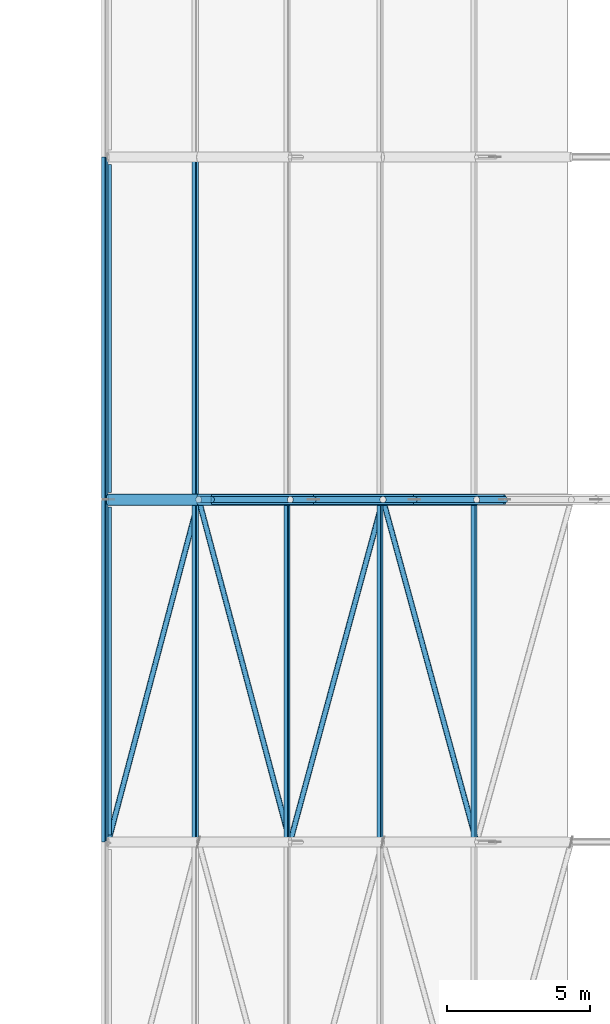
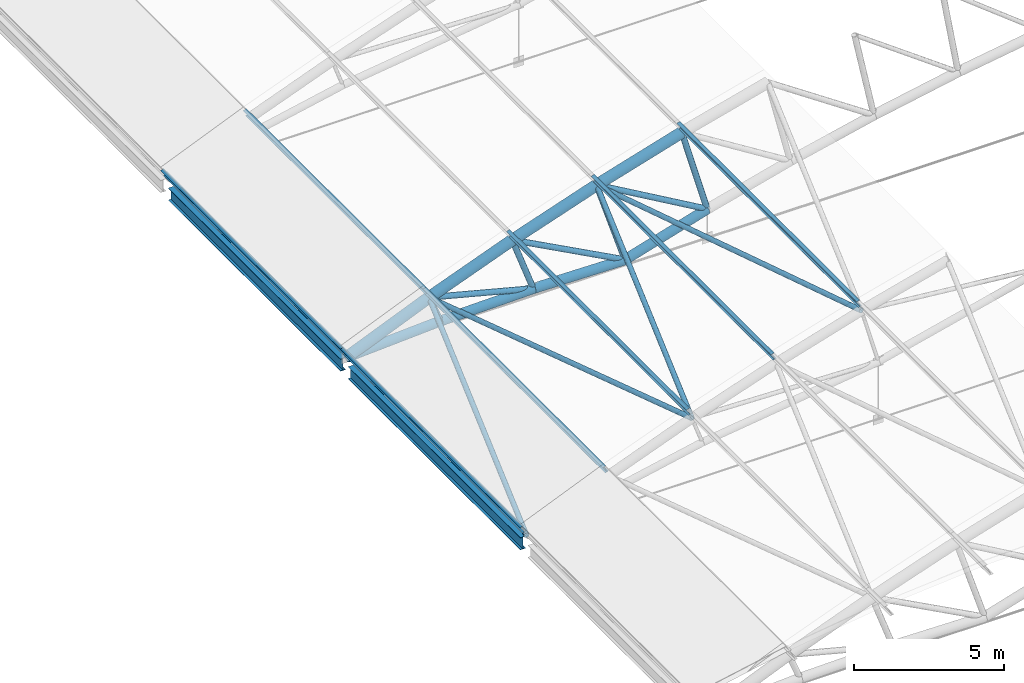
# One storey, part 75 of 321: 26 members, 2 beams.
"""IFC4 building model written with IfcOpenShell, lengths in metres."""

from ifc_helpers import new_model, si_unit, direction, frame, origin, origin_2d, place, context, subcontext, project, spatial, hollow_circle, i_section, extrude, material, material_profile, profile_set, type_object, element, save


model = new_model("IFC4")

# Units and contexts
model_context = context("Model", 3, precision=1e-05, world=origin(), true_north=direction((0.0, 1.0)))
body_context = subcontext(model_context, "Body", "Model", "MODEL_VIEW")
ifc_project = project(units=[si_unit("LENGTHUNIT", "METRE"), si_unit("AREAUNIT", "SQUARE_METRE"), si_unit("VOLUMEUNIT", "CUBIC_METRE"), si_unit("PLANEANGLEUNIT", "RADIAN"), si_unit("MASSUNIT", "GRAM", prefix="KILO")], contexts=[model_context])

# Site, building, storey
site_placement = place(None, origin())
site = spatial("IfcSite", under=ifc_project, at=site_placement, CompositionType="ELEMENT")
building_placement = place(site_placement, origin())
building = spatial("IfcBuilding", under=site, at=building_placement, Name="Ravi Spectrum Wholesale Market", CompositionType="ELEMENT")
storey_placement = place(building_placement, frame((0.0, 0.0, 10.800048828125)))
storey = spatial("IfcBuildingStorey", under=building, at=storey_placement, Name="L02", CompositionType="ELEMENT", Elevation=10.800048828125)

# Members
ifc_material_1 = material(Name="Steel S355", Category="steel")
ifc_material_profile_1 = material_profile(ifc_material_1, hollow_circle(Radius=0.096923828125, WallThickness=0.00634765625, at=origin_2d()))
ifc_profile_set_1 = profile_set([ifc_material_profile_1], Name="Steel S355")
member_type_1 = type_object("IfcMemberType", Name="CHS 193.7x6.3 brace", PredefinedType="BRACE", material=ifc_profile_set_1)
member_1_placement = place(storey_placement, frame((29.98974609375, 114.0, 0.023193359375), z_axis=(0.254316239018, 0.961476177233, 0.104339883003), x_axis=(-0.966753007225, 0.255711992329, 0.0)))
element("IfcMember", 1, at=member_1_placement, inside=storey, type_object=member_type_1, Name="H1-MB-L02-1656", PredefinedType="BRACE", context=body_context, shape_type="SweptSolid", body=[
    extrude(hollow_circle(Radius=0.096923828125, WallThickness=0.00634765625, at=origin_2d()), origin(), (0.0, 0.0, 1.0), 12.480712890625),
])
member_2_placement = place(storey_placement, frame((33.163818359375, 126.0, 1.325439453125), z_axis=(0.256330404397, -0.961473751291, 0.099312382717), x_axis=(0.966250599295, 0.257603919539, 0.0)))
element("IfcMember", 2, at=member_2_placement, inside=storey, type_object=member_type_1, Name="H1-MB-L02-1657", PredefinedType="BRACE", context=body_context, shape_type="SweptSolid", body=[
    extrude(hollow_circle(Radius=0.096923828125, WallThickness=0.00634765625, at=origin_2d()), origin(), (0.0, 0.0, 1.0), 12.48095703125),
])
for number, where, z_axis, x_axis, name in (
    (3, (36.363037109375, 114.0, 2.56494140625), (0.260908126195, 0.961475200084, 0.086558588875), (-0.965097440522, 0.261891065708, 0.0), "H1-MB-L02-1658"),
    (4, (39.619384765625, 126.0, 3.645263671875), (0.262551801783, -0.961477139117, 0.08141414089), (0.964679529004, 0.263426282517, 0.0), "H1-MB-L02-1659"),
):
    element("IfcMember", number, at=place(storey_placement, frame(where, z_axis=z_axis, x_axis=x_axis)), inside=storey, type_object=member_type_1, Name=name, PredefinedType="BRACE", context=body_context, shape_type="SweptSolid", body=[
        extrude(hollow_circle(Radius=0.096923828125, WallThickness=0.00634765625, at=origin_2d()), origin(), (0.0, 0.0, 1.0), 12.480712890625),
    ])
ifc_material_2 = material(Name="Steel S355", Category="steel")
ifc_material_profile_2 = material_profile(ifc_material_2, hollow_circle(Radius=0.109619140625, WallThickness=0.008056640625, at=origin_2d()))
ifc_profile_set_2 = profile_set([ifc_material_profile_2], Name="Steel S355")
member_type_2 = type_object("IfcMemberType", Name="CHS 219.1x8 brace", PredefinedType="BRACE", material=ifc_profile_set_2)
member_3_placement = place(storey_placement, frame((33.163818359375, 126.0, 1.325439453125), z_axis=(0.967942387937, 0.0, -0.251172318609), x_axis=(0.0, 1.0, 0.0)))
element("IfcMember", 5, at=member_3_placement, inside=storey, type_object=member_type_2, Name="H1-MB-L02-720", PredefinedType="BRACE", context=body_context, shape_type="SweptSolid", body=[
    extrude(hollow_circle(Radius=0.109619140625, WallThickness=0.008056640625, at=origin_2d()), origin(), (0.0, 0.0, 1.0), 4.15234375),
])
for number, where, z_axis, x_axis, name in (
    (6, (36.37158203125, 126.0, 2.541015625), (0.881933088563, 0.0, -0.471374614608), (0.0, 1.0, 0.0), "H1-MB-L02-721"),
    (7, (39.619384765625, 126.0, 3.645263671875), (0.865160555252, 0.0, -0.501494978675), (0.0, 1.0, 0.0), "H1-MB-L02-722"),
):
    element("IfcMember", number, at=place(storey_placement, frame(where, z_axis=z_axis, x_axis=x_axis)), inside=storey, type_object=member_type_2, Name=name, PredefinedType="BRACE", context=body_context, shape_type="SweptSolid", body=[
        extrude(hollow_circle(Radius=0.109619140625, WallThickness=0.008056640625, at=origin_2d()), origin(), (0.0, 0.0, 1.0), 4.9296875),
    ])
ifc_material_3 = material(Name="Steel S355", Category="steel")
ifc_material_profile_3 = material_profile(ifc_material_3, hollow_circle(Radius=0.109619140625, WallThickness=0.008056640625, at=origin_2d()))
ifc_profile_set_3 = profile_set([ifc_material_profile_3], Name="Steel S355")
member_type_3 = type_object("IfcMemberType", Name="CHS 219.1x8 post", PredefinedType="POST", material=ifc_profile_set_3)
member_4_placement = place(storey_placement, frame((33.163818359375, 126.0, 1.325439453125), z_axis=(0.370513497528, 0.0, -0.928827081942), x_axis=(0.0, 1.0, 0.0)))
element("IfcMember", 8, at=member_4_placement, inside=storey, type_object=member_type_3, Name="H1-MB-L02-697", PredefinedType="POST", context=body_context, shape_type="SweptSolid", body=[
    extrude(hollow_circle(Radius=0.109619140625, WallThickness=0.008056640625, at=origin_2d()), origin(), (0.0, 0.0, 1.0), 1.199951171875),
])
member_5_placement = place(storey_placement, frame((36.37158203125, 126.0, 2.541015625), z_axis=(0.338146640483, 0.0, -0.941093432944), x_axis=(0.0, 1.0, 0.0)))
element("IfcMember", 9, at=member_5_placement, inside=storey, type_object=member_type_3, Name="H1-MB-L02-698", PredefinedType="POST", context=body_context, shape_type="SweptSolid", body=[
    extrude(hollow_circle(Radius=0.109619140625, WallThickness=0.008056640625, at=origin_2d()), origin(), (0.0, 0.0, 1.0), 2.39990234375),
])
member_6_placement = place(storey_placement, frame((39.619384765625, 126.0, 3.645263671875), z_axis=(0.305506444581, 0.0, -0.952190008517), x_axis=(0.0, 1.0, 0.0)))
element("IfcMember", 10, at=member_6_placement, inside=storey, type_object=member_type_3, Name="H1-MB-L02-699", PredefinedType="POST", context=body_context, shape_type="SweptSolid", body=[
    extrude(hollow_circle(Radius=0.109619140625, WallThickness=0.008056640625, at=origin_2d()), origin(), (0.0, 0.0, 1.0), 3.60009765625),
])
member_7_placement = place(storey_placement, frame((42.903076171875, 126.0, 4.63671875), z_axis=(0.272561766134, 0.0, -0.962138287172), x_axis=(0.0, 1.0, 0.0)))
element("IfcMember", 11, at=member_7_placement, inside=storey, type_object=member_type_3, Name="H1-MB-L02-700", PredefinedType="POST", context=body_context, shape_type="SweptSolid", body=[
    extrude(hollow_circle(Radius=0.109619140625, WallThickness=0.008056640625, at=origin_2d()), origin(), (0.0, 0.0, 1.0), 3.599853515625),
])
ifc_material_4 = material(Name="Steel S355", Category="steel")
ifc_material_profile_4 = material_profile(ifc_material_4, hollow_circle(Radius=0.177734375, WallThickness=0.012451171875, at=origin_2d()))
ifc_profile_set_4 = profile_set([ifc_material_profile_4], Name="Steel S355")
member_type_4 = type_object("IfcMemberType", Name="CHS 355.6x12.5 chord", PredefinedType="CHORD", material=ifc_profile_set_4)
member_8_placement = place(storey_placement, frame((30.0, 126.0, 0.0), z_axis=(0.998295734367, 0.0, 0.058357747936), x_axis=(0.0, 1.0, 0.0)))
element("IfcMember", 12, at=member_8_placement, inside=storey, type_object=member_type_4, Name="H1-MB-L02-673", PredefinedType="CHORD", context=body_context, shape_type="SweptSolid", body=[
    extrude(hollow_circle(Radius=0.177734375, WallThickness=0.012451171875, at=origin_2d()), origin(), (0.0, 0.0, 1.0), 3.614501953125),
])
member_9_placement = place(storey_placement, frame((33.6083984375, 126.0, 0.2109375), z_axis=(0.999799841502, 0.0, 0.020006922112), x_axis=(0.0, 1.0, 0.0)))
element("IfcMember", 13, at=member_9_placement, inside=storey, type_object=member_type_4, Name="H1-MB-L02-674", PredefinedType="CHORD", context=body_context, shape_type="SweptSolid", body=[
    extrude(hollow_circle(Radius=0.177734375, WallThickness=0.012451171875, at=origin_2d()), origin(), (0.0, 0.0, 1.0), 3.575439453125),
])
member_10_placement = place(storey_placement, frame((37.18310546875, 126.0, 0.282470703125), z_axis=(0.999830134639, 0.0, -0.018431002896), x_axis=(0.0, 1.0, 0.0)))
element("IfcMember", 14, at=member_10_placement, inside=storey, type_object=member_type_4, Name="H1-MB-L02-675", PredefinedType="CHORD", context=body_context, shape_type="SweptSolid", body=[
    extrude(hollow_circle(Radius=0.177734375, WallThickness=0.012451171875, at=origin_2d()), origin(), (0.0, 0.0, 1.0), 3.53662109375),
])
member_11_placement = place(storey_placement, frame((40.71923828125, 126.0, 0.21728515625), z_axis=(0.957300337613, 0.0, 0.289095250058), x_axis=(0.0, 1.0, 0.0)))
element("IfcMember", 15, at=member_11_placement, inside=storey, type_object=member_type_4, Name="H1-MB-L02-676", PredefinedType="CHORD", context=body_context, shape_type="SweptSolid", body=[
    extrude(hollow_circle(Radius=0.177734375, WallThickness=0.012451171875, at=origin_2d()), origin(), (0.0, 0.0, 1.0), 3.30615234375),
])
ifc_material_5 = material(Name="Steel S355", Category="steel")
ifc_material_profile_5 = material_profile(ifc_material_5, hollow_circle(Radius=0.203125, WallThickness=0.01611328125, at=origin_2d()))
ifc_profile_set_5 = profile_set([ifc_material_profile_5], Name="Steel S355")
member_type_5 = type_object("IfcMemberType", Name="CHS 406.4x16 chord", PredefinedType="CHORD", material=ifc_profile_set_5)
member_12_placement = place(storey_placement, frame((30.0, 126.0, 0.0), z_axis=(0.922331882778, 0.0, 0.386398625789), x_axis=(0.0, 1.0, 0.0)))
element("IfcMember", 16, at=member_12_placement, inside=storey, type_object=member_type_5, Name="H1-MB-L02-649", PredefinedType="CHORD", context=body_context, shape_type="SweptSolid", body=[
    extrude(hollow_circle(Radius=0.203125, WallThickness=0.01611328125, at=origin_2d()), origin(), (0.0, 0.0, 1.0), 3.43017578125),
])
for number, where, z_axis, x_axis, name in (
    (17, (33.163818359375, 126.0, 1.325439453125), (0.935109783896, 0.0, 0.354358140956), (0.0, 1.0, 0.0), "H1-MB-L02-650"),
    (18, (36.37158203125, 126.0, 2.541015625), (0.946773178626, 0.0, 0.321901457335), (0.0, 1.0, 0.0), "H1-MB-L02-651"),
):
    element("IfcMember", number, at=place(storey_placement, frame(where, z_axis=z_axis, x_axis=x_axis)), inside=storey, type_object=member_type_5, Name=name, PredefinedType="CHORD", context=body_context, shape_type="SweptSolid", body=[
        extrude(hollow_circle(Radius=0.203125, WallThickness=0.01611328125, at=origin_2d()), origin(), (0.0, 0.0, 1.0), 3.430419921875),
    ])
member_13_placement = place(storey_placement, frame((39.619384765625, 126.0, 3.645263671875), z_axis=(0.957315448633, 0.0, 0.289045207204), x_axis=(0.0, 1.0, 0.0)))
element("IfcMember", 19, at=member_13_placement, inside=storey, type_object=member_type_5, Name="H1-MB-L02-652", PredefinedType="CHORD", context=body_context, shape_type="SweptSolid", body=[
    extrude(hollow_circle(Radius=0.203125, WallThickness=0.01611328125, at=origin_2d()), origin(), (0.0, 0.0, 1.0), 3.43017578125),
])
ifc_material_6 = material(Name="Steel S355", Category="steel")
ifc_material_profile_6 = material_profile(ifc_material_6, i_section(OverallWidth=0.135009765625, OverallDepth=0.27001953125, WebThickness=0.006591796875, FlangeThickness=0.01025390625, at=origin_2d()))
ifc_profile_set_6 = profile_set([ifc_material_profile_6], Name="Steel S355")
member_type_6 = type_object("IfcMemberType", Name="IPE 270 purlin", PredefinedType="PURLIN", material=ifc_profile_set_6)
for number, where, z_axis, x_axis, name in (
    (20, (29.864013671875, 114.0, 0.3095703125), (0.0, 1.0, 0.0), (-0.915525334521, 0.0, -0.402260316027), "H1-MB-L02-1409"),
    (21, (33.03857421875, 114.0, 1.6396484375), (0.0, 1.0, 0.0), (-0.928855283584, 0.0, -0.370442792017), "H1-MB-L02-1410"),
    (22, (36.25732421875, 114.0, 2.859375), (0.0, 1.0, 0.0), (-0.941079849597, 0.0, -0.338184441811), "H1-MB-L02-1411"),
    (23, (39.515869140625, 114.0, 3.96728515625), (0.0, 1.0, 0.0), (-0.952184497174, 0.0, -0.305523621577), "H1-MB-L02-1412"),
    (24, (42.81103515625, 114.0, 4.962158203125), (0.0, 1.0, 0.0), (-0.96215600485, 0.0, -0.272499215286), "H1-MB-L02-1413"),
    (25, (29.864013671875, 126.0, 0.3095703125), (0.0, 1.0, 0.0), (-0.915525334521, 0.0, -0.402260316027), "H1-MB-L02-1434"),
    (26, (33.03857421875, 126.0, 1.6396484375), (0.0, 1.0, 0.0), (-0.928855283584, 0.0, -0.370442792017), "H1-MB-L02-1435"),
):
    element("IfcMember", number, at=place(storey_placement, frame(where, z_axis=z_axis, x_axis=x_axis)), inside=storey, type_object=member_type_6, Name=name, PredefinedType="PURLIN", context=body_context, shape_type="SweptSolid", body=[
        extrude(i_section(OverallWidth=0.135009765625, OverallDepth=0.27001953125, WebThickness=0.006591796875, FlangeThickness=0.01025390625, at=origin_2d()), origin(), (0.0, 0.0, 1.0), 12.0),
    ])

# Beams
ifc_material_7 = material(Name="Steel S355", Category="steel")
ifc_material_profile_7 = material_profile(ifc_material_7, i_section(OverallWidth=0.199951171875, OverallDepth=0.5, WebThickness=0.01025390625, FlangeThickness=0.01611328125, at=origin_2d()))
ifc_profile_set_7 = profile_set([ifc_material_profile_7], Name="Steel S355")
beam_type = type_object("IfcBeamType", Name="IPE 500 girder", PredefinedType="BEAM", material=ifc_profile_set_7)
for number, where, z_axis, x_axis, name in (
    (27, (30.0, 114.25390625, -0.449951171875), (0.0, 1.0, 0.0), (-1.0, 0.0, 0.0), "H1-BM-L02-008"),
    (28, (30.0, 126.25390625, -0.449951171875), (0.0, 1.0, 0.0), (-1.0, 0.0, 0.0), "H1-BM-L02-009"),
):
    element("IfcBeam", number, at=place(storey_placement, frame(where, z_axis=z_axis, x_axis=x_axis)), inside=storey, type_object=beam_type, Name=name, PredefinedType="BEAM", context=body_context, shape_type="SweptSolid", body=[
        extrude(i_section(OverallWidth=0.199951171875, OverallDepth=0.5, WebThickness=0.01025390625, FlangeThickness=0.01611328125, at=origin_2d()), origin(), (0.0, 0.0, 1.0), 11.4921875),
    ])

save(model, "model.ifc")
